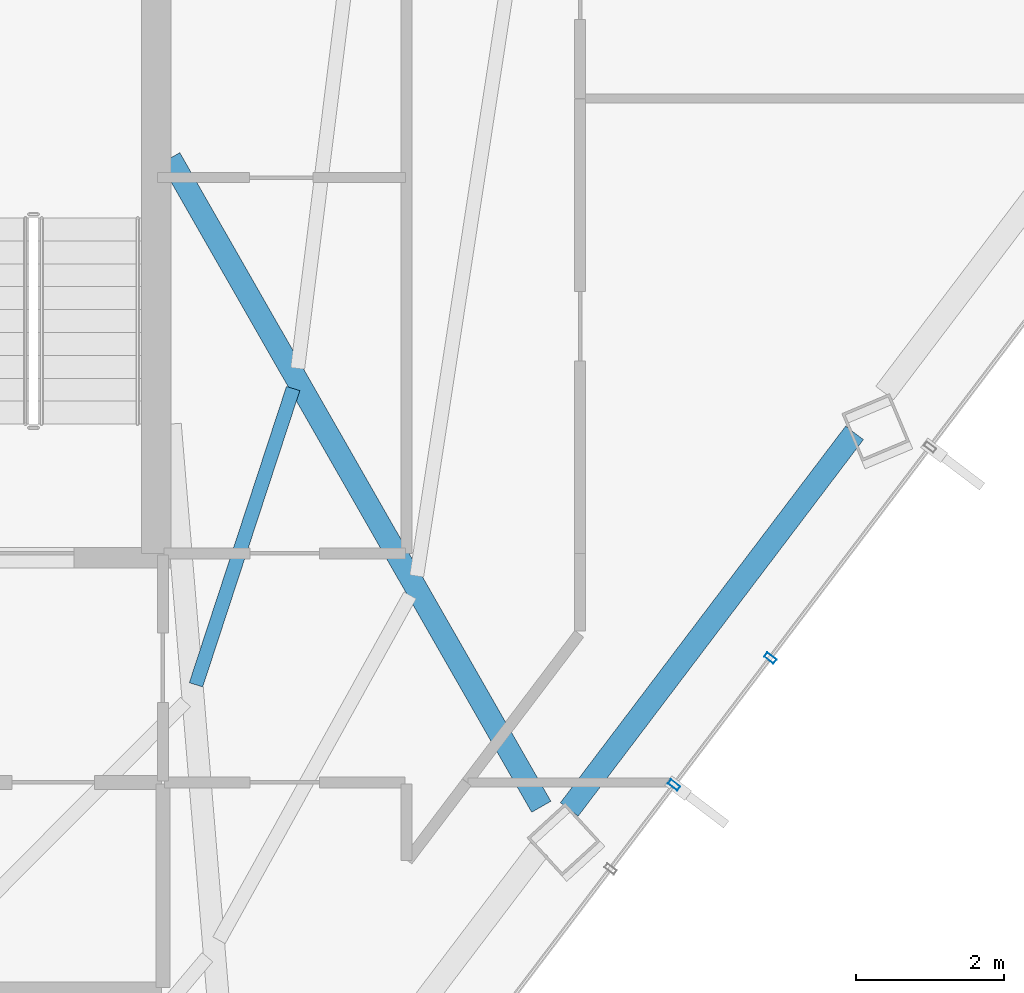
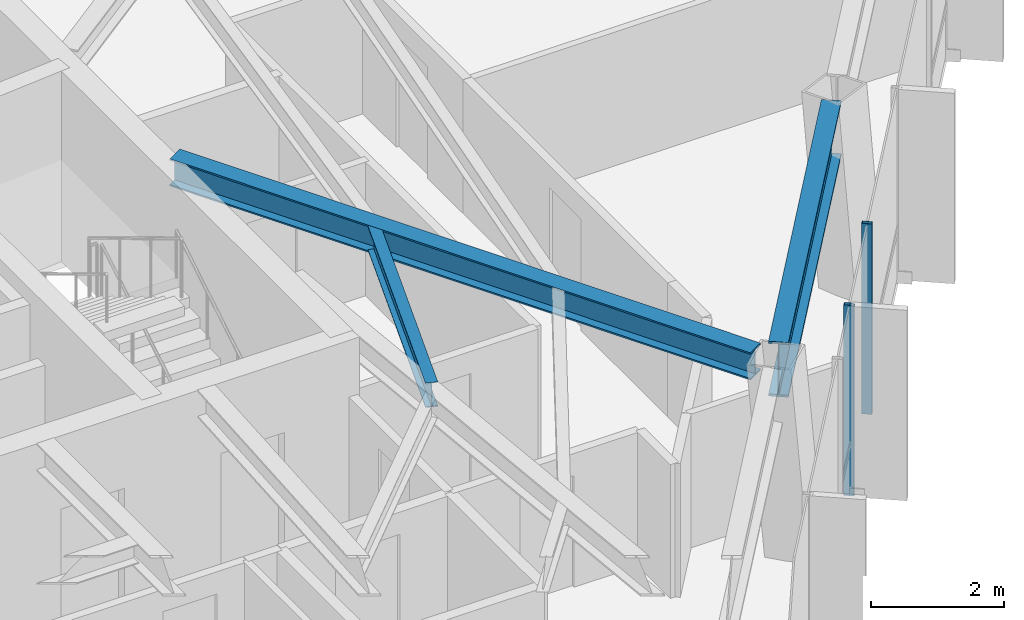
# One storey, part 18 of 27: 3 beams, 2 members, 1 element without a shape of its own.
"""IFC4 building model written with IfcOpenShell, lengths in metres."""

from ifc_helpers import new_model, si_unit, direction, frame, origin, origin_2d, place, context, subcontext, project, spatial, hollow_rectangle, i_section, extrude, material, layer, layer_set, material_profile, profile_set, type_object, element, aggregate, save


model = new_model("IFC4")

# Units and contexts
model_context = context("Model", 3, precision=1e-05, world=origin(), true_north=direction((0.0, 1.0)))
body_context = subcontext(model_context, "Body", "Model", "MODEL_VIEW")
ifc_project = project(units=[si_unit("LENGTHUNIT", "METRE"), si_unit("AREAUNIT", "SQUARE_METRE"), si_unit("VOLUMEUNIT", "CUBIC_METRE"), si_unit("PLANEANGLEUNIT", "RADIAN"), si_unit("MASSUNIT", "GRAM", prefix="KILO")], contexts=[model_context])

# Site, building, storey
site_placement = place(None, origin())
site = spatial("IfcSite", under=ifc_project, at=site_placement, CompositionType="ELEMENT")
building_placement = place(site_placement, origin())
building = spatial("IfcBuilding", under=site, at=building_placement, Name="Zarrinselat Tower", CompositionType="ELEMENT")
storey_placement = place(building_placement, frame((0.0, 0.0, 183.260009765625)))
storey = spatial("IfcBuildingStorey", under=building, at=storey_placement, Name="L45", CompositionType="ELEMENT", Elevation=183.260009765625)

# Beams
ifc_material_1 = material(Name="Steel S355J2", Category="steel")
ifc_material_profile_1 = material_profile(ifc_material_1, i_section(OverallWidth=0.300048828125, OverallDepth=0.5, WebThickness=0.014404296875, FlangeThickness=0.028076171875, at=origin_2d()), Name="HEB 500")
ifc_profile_set_1 = profile_set([ifc_material_profile_1], Name="Steel S355J2")
beam_type_1 = type_object("IfcBeamType", Name="BM-HEB500", PredefinedType="BEAM", material=ifc_profile_set_1)
beam_1_placement = place(storey_placement, frame((48.449951171875, 38.60009765625, 3.25), z_axis=(0.496601472086, -0.867978673656, 0.0), x_axis=(0.867978673656, 0.496601472086, 0.0)))
element("IfcBeam", 1, at=beam_1_placement, inside=storey, type_object=beam_type_1, Name="L45 Radial Primary Girder RG13", PredefinedType="BEAM", context=body_context, shape_type="SweptSolid", body=[
    extrude(i_section(OverallWidth=0.300048828125, OverallDepth=0.5, WebThickness=0.014404296875, FlangeThickness=0.028076171875, at=origin_2d()), origin(), (0.0, 0.0, 1.0), 10.11669921875),
])
ifc_material_2 = material(Name="Steel S460M", Category="steel")
ifc_material_profile_2 = material_profile(ifc_material_2, i_section(OverallWidth=0.302001953125, OverallDepth=1.008056640625, WebThickness=0.02099609375, FlangeThickness=0.0400390625, at=origin_2d()), Name="HEM 1000")
ifc_profile_set_2 = profile_set([ifc_material_profile_2], Name="Steel S460M")
beam_type_2 = type_object("IfcBeamType", Name="BM-HEM1000", PredefinedType="BEAM", material=ifc_profile_set_2)
beam_2_placement = place(storey_placement, frame((53.852783203125, 29.783203125, 2.99609375), z_axis=(0.603846664563, 0.797100499119, 0.0), x_axis=(-0.797100499119, 0.603846664563, 0.0)))
element("IfcBeam", 2, at=beam_2_placement, inside=storey, type_object=beam_type_2, Name="L45 Perimeter Spandrel Girder SP13", PredefinedType="BEAM", context=body_context, shape_type="SweptSolid", body=[
    extrude(i_section(OverallWidth=0.302001953125, OverallDepth=1.008056640625, WebThickness=0.02099609375, FlangeThickness=0.0400390625, at=origin_2d()), origin(), (0.0, 0.0, 1.0), 6.396240234375),
])
ifc_material_3 = material(Name="Steel S355J2", Category="steel")
ifc_material_profile_3 = material_profile(ifc_material_3, i_section(OverallWidth=0.18994140625, OverallDepth=0.449951171875, WebThickness=0.009521484375, FlangeThickness=0.0146484375, at=origin_2d()), Name="IPE 450")
ifc_profile_set_3 = profile_set([ifc_material_profile_3], Name="Steel S355J2")
beam_type_3 = type_object("IfcBeamType", Name="BM-IPE450", PredefinedType="JOIST", material=ifc_profile_set_3)
beam_3_placement = place(storey_placement, frame((48.79931640625, 31.47021484375, 3.27490234375), z_axis=(0.311556661766, 0.950227576168, 0.0), x_axis=(-0.950227576168, 0.311556661766, 0.0)))
element("IfcBeam", 3, at=beam_3_placement, inside=storey, type_object=beam_type_3, Name="L45 Composite Floor Joist 4-2", PredefinedType="JOIST", context=body_context, shape_type="SweptSolid", body=[
    extrude(i_section(OverallWidth=0.18994140625, OverallDepth=0.449951171875, WebThickness=0.009521484375, FlangeThickness=0.0146484375, at=origin_2d()), origin(), (0.0, 0.0, 1.0), 4.221435546875),
])

# Curtain wall, members
ifc_material_4 = material(Name="Extruded Aluminium Alloy EN AW-6063 T6", Category="aluminium")
ifc_layer = layer(ifc_material_4, 0.175048828125)
ifc_layer_set = layer_set([ifc_layer], Name="Extruded Aluminium Alloy EN AW-6063 T6")
curtain_wall_type = type_object("IfcCurtainWallType", Name="CWS-HTL", PredefinedType="NOTDEFINED", material=ifc_layer_set)
curtain_wall_placement = place(storey_placement, origin())
curtain_wall = element("IfcCurtainWall", 4, at=curtain_wall_placement, inside=storey, type_object=curtain_wall_type, Name="L45 Unitised Curtain Wall CW-L45-E05", PredefinedType="NOTDEFINED")
ifc_material_5 = material(Name="Extruded Aluminium Alloy EN AW-6063 T6", Category="aluminium")
ifc_material_profile_4 = material_profile(ifc_material_5, hollow_rectangle(XDim=0.070068359375, YDim=0.159912109375, WallThickness=0.00390625, at=origin_2d()), Name="RHS 160x70x4")
ifc_profile_set_4 = profile_set([ifc_material_profile_4], Name="Extruded Aluminium Alloy EN AW-6063 T6")
member_type = type_object("IfcMemberType", Name="MEM-CW-MUL2", PredefinedType="MULLION", material=ifc_profile_set_4)
member_1_placement = place(storey_placement, frame((55.2724609375, 30.11376953125, 0.0), z_axis=(0.0, 0.0, 1.0), x_axis=(0.603859165965, 0.797091028478, 0.0)))
member_1 = element("IfcMember", 5, at=member_1_placement, type_object=member_type, Name="CW-L45-E05 Mullion 5", PredefinedType="MULLION", context=body_context, shape_type="SweptSolid", body=[
    extrude(hollow_rectangle(XDim=0.070068359375, YDim=0.159912109375, WallThickness=0.00390625, at=origin_2d()), origin(), (0.0, 0.0, 1.0), 3.5),
])
member_2_placement = place(storey_placement, frame((56.57470703125, 31.83251953125, 0.0), z_axis=(0.0, 0.0, 1.0), x_axis=(0.603859165965, 0.797091028478, 0.0)))
member_2 = element("IfcMember", 6, at=member_2_placement, type_object=member_type, Name="CW-L45-E05 Mullion 6", PredefinedType="MULLION", context=body_context, shape_type="SweptSolid", body=[
    extrude(hollow_rectangle(XDim=0.070068359375, YDim=0.159912109375, WallThickness=0.00390625, at=origin_2d()), origin(), (0.0, 0.0, 1.0), 3.5),
])
aggregate(curtain_wall, [member_1, member_2])

save(model, "model.ifc")
